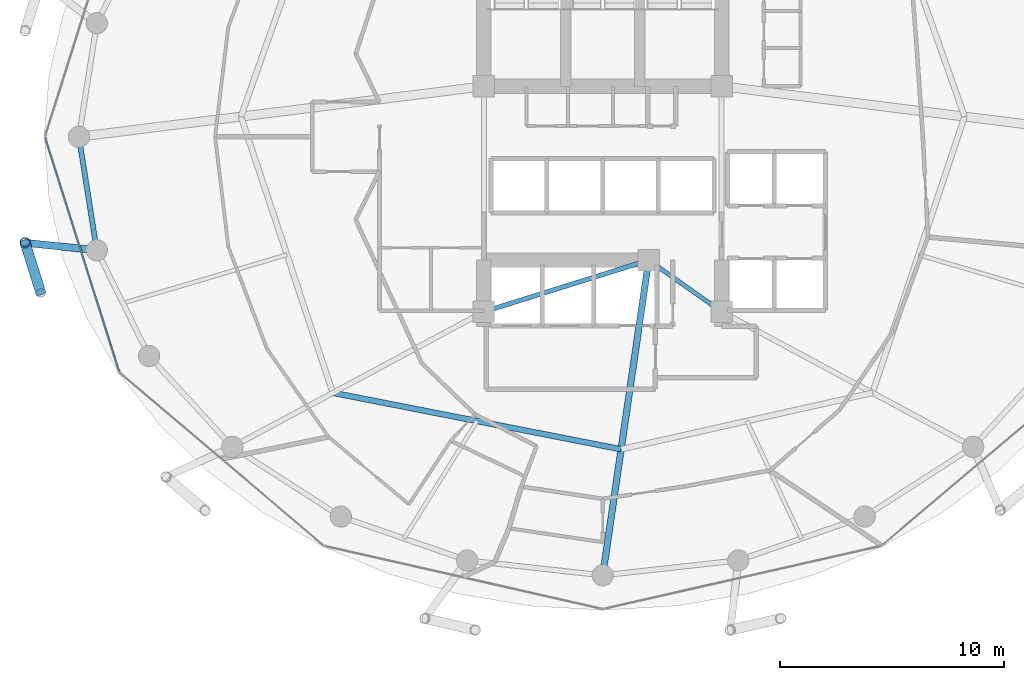
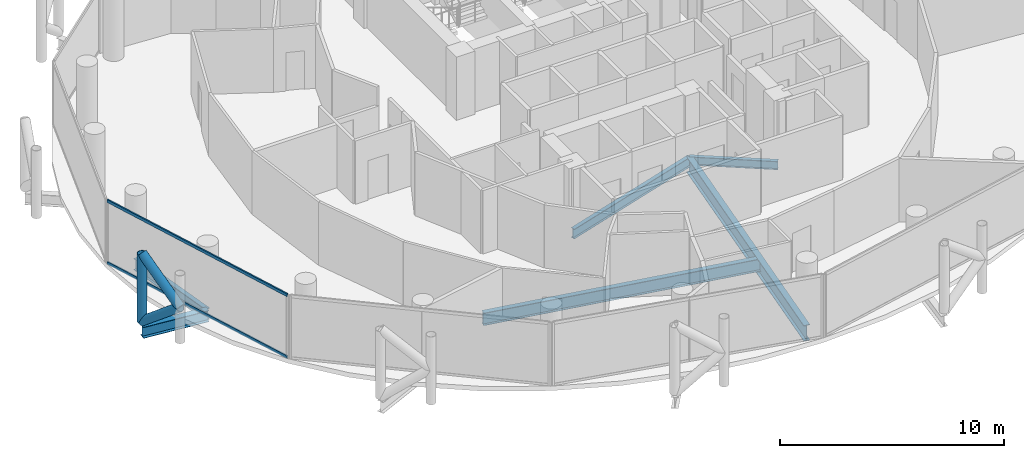
# One storey, part 5 of 26: 6 beams, 5 members, 1 element without a shape of its own.
"""IFC4 building model written with IfcOpenShell, lengths in metres."""

from ifc_helpers import new_model, si_unit, direction, frame, origin, origin_2d, place, context, subcontext, project, spatial, hollow_rectangle, hollow_circle, i_section, extrude, material, layer, layer_set, material_profile, profile_set, type_object, element, aggregate, save


model = new_model("IFC4")

# Units and contexts
model_context = context("Model", 3, precision=1e-05, world=origin(), true_north=direction((0.0, 1.0)))
body_context = subcontext(model_context, "Body", "Model", "MODEL_VIEW")
ifc_project = project(units=[si_unit("LENGTHUNIT", "METRE"), si_unit("AREAUNIT", "SQUARE_METRE"), si_unit("VOLUMEUNIT", "CUBIC_METRE"), si_unit("PLANEANGLEUNIT", "RADIAN"), si_unit("MASSUNIT", "GRAM", prefix="KILO")], contexts=[model_context])

# Site, building, storey
site_placement = place(None, origin())
site = spatial("IfcSite", under=ifc_project, at=site_placement, CompositionType="ELEMENT")
building_placement = place(site_placement, origin())
building = spatial("IfcBuilding", under=site, at=building_placement, Name="Nuhasar Tower", CompositionType="ELEMENT")
storey_placement = place(building_placement, frame((0.0, 0.0, 162.64990234375)))
storey = spatial("IfcBuildingStorey", under=building, at=storey_placement, Name="L39", CompositionType="ELEMENT", Elevation=162.64990234375)

# Beams
ifc_material_1 = material(Name="Steel S355", Category="steel")
ifc_material_profile_1 = material_profile(ifc_material_1, i_section(OverallWidth=0.25390625, OverallDepth=0.68408203125, WebThickness=0.012451171875, FlangeThickness=0.018798828125, at=origin_2d()), Name="W27X94")
ifc_profile_set_1 = profile_set([ifc_material_profile_1], Name="Steel S355")
beam_type_1 = type_object("IfcBeamType", Name="BM-INRING-W27X94", PredefinedType="BEAM", material=ifc_profile_set_1)
beam_1_placement = place(storey_placement, frame((26.972900390625, 15.385986328125, -0.591796875), z_axis=(0.981359637088, -0.192180286956, 0.0), x_axis=(0.192180286956, 0.981359637088, 0.0)))
element("IfcBeam", 1, at=beam_1_placement, inside=storey, type_object=beam_type_1, Name="L39 Inner Header Beam 01", PredefinedType="BEAM", context=body_context, shape_type="SweptSolid", body=[
    extrude(i_section(OverallWidth=0.25390625, OverallDepth=0.68408203125, WebThickness=0.012451171875, FlangeThickness=0.018798828125, at=origin_2d()), origin(), (0.0, 0.0, 1.0), 13.09130859375),
])
ifc_material_profile_2 = material_profile(ifc_material_1, i_section(OverallWidth=0.2919921875, OverallDepth=0.85888671875, WebThickness=0.01708984375, FlangeThickness=0.031005859375, at=origin_2d()), Name="W33X169")
ifc_profile_set_2 = profile_set([ifc_material_profile_2], Name="Steel S355")
beam_type_2 = type_object("IfcBeamType", Name="BM-POD-W33X169", PredefinedType="BEAM", material=ifc_profile_set_2)
beam_2_placement = place(storey_placement, frame((41.050048828125, 21.300048828125, -0.678955078125), z_axis=(-0.144381604017, -0.989522082837, 0.0), x_axis=(0.989522082837, -0.144381604017, 0.0)))
element("IfcBeam", 2, at=beam_2_placement, inside=storey, type_object=beam_type_2, Name="L39 Radial Floor Girder 02", PredefinedType="BEAM", context=body_context, shape_type="SweptSolid", body=[
    extrude(i_section(OverallWidth=0.2919921875, OverallDepth=0.85888671875, WebThickness=0.01708984375, FlangeThickness=0.031005859375, at=origin_2d()), origin(), (0.0, 0.0, 1.0), 14.19873046875),
])
ifc_material_profile_3 = material_profile(ifc_material_1, i_section(OverallWidth=0.18994140625, OverallDepth=0.45703125, WebThickness=0.009033203125, FlangeThickness=0.014404296875, at=origin_2d()), Name="W18X50")
ifc_profile_set_3 = profile_set([ifc_material_profile_3], Name="Steel S355")
beam_type_3 = type_object("IfcBeamType", Name="BM-RAD-W18X50", PredefinedType="BEAM", material=ifc_profile_set_3)
beam_3_placement = place(storey_placement, frame((41.050048828125, 21.300048828125, -0.477783203125), z_axis=(0.816265428953, -0.577677028708, 0.0), x_axis=(0.577677028708, 0.816265428953, 0.0)))
element("IfcBeam", 3, at=beam_3_placement, inside=storey, type_object=beam_type_3, Name="L39 Core Ring Girder 2", PredefinedType="BEAM", context=body_context, shape_type="SweptSolid", body=[
    extrude(i_section(OverallWidth=0.18994140625, OverallDepth=0.45703125, WebThickness=0.009033203125, FlangeThickness=0.014404296875, at=origin_2d()), origin(), (0.0, 0.0, 1.0), 3.9814453125),
])
ifc_material_profile_4 = material_profile(ifc_material_1, i_section(OverallWidth=0.208984375, OverallDepth=0.532958984375, WebThickness=0.01025390625, FlangeThickness=0.015625, at=origin_2d()), Name="W21X62")
ifc_profile_set_4 = profile_set([ifc_material_profile_4], Name="Steel S355")
beam_type_4 = type_object("IfcBeamType", Name="BM-RAD-W21X62", PredefinedType="BEAM", material=ifc_profile_set_4)
beam_4_placement = place(storey_placement, frame((33.699951171875, 19.0, -0.516845703125), z_axis=(0.954363709454, 0.298646798205, 0.0), x_axis=(-0.298646798205, 0.954363709454, 0.0)))
element("IfcBeam", 4, at=beam_4_placement, inside=storey, type_object=beam_type_4, Name="L39 Core Ring Girder 1", PredefinedType="BEAM", context=body_context, shape_type="SweptSolid", body=[
    extrude(i_section(OverallWidth=0.208984375, OverallDepth=0.532958984375, WebThickness=0.01025390625, FlangeThickness=0.015625, at=origin_2d()), origin(), (0.0, 0.0, 1.0), 7.70166015625),
])
ifc_material_profile_5 = material_profile(ifc_material_1, i_section(OverallWidth=0.22998046875, OverallDepth=0.616943359375, WebThickness=0.01318359375, FlangeThickness=0.022216796875, at=origin_2d()), Name="W24X94")
ifc_profile_set_5 = profile_set([ifc_material_profile_5], Name="Steel S355")
beam_type_5 = type_object("IfcBeamType", Name="BM-RING-W24X94", PredefinedType="SPANDREL", material=ifc_profile_set_5)
beam_5_placement = place(storey_placement, frame((15.64990234375, 26.800048828125, -0.558837890625), z_axis=(0.155426543608, -0.987847452566, 0.0), x_axis=(0.987847452566, 0.155426543608, 0.0)))
element("IfcBeam", 5, at=beam_5_placement, inside=storey, type_object=beam_type_5, Name="L39 Perimeter Ring Spandrel 13", PredefinedType="SPANDREL", context=body_context, shape_type="SweptSolid", body=[
    extrude(i_section(OverallWidth=0.22998046875, OverallDepth=0.616943359375, WebThickness=0.01318359375, FlangeThickness=0.022216796875, at=origin_2d()), origin(), (0.0, 0.0, 1.0), 5.122314453125),
])
ifc_material_profile_6 = material_profile(ifc_material_1, i_section(OverallWidth=0.323974609375, OverallDepth=0.611083984375, WebThickness=0.0126953125, FlangeThickness=0.01904296875, at=origin_2d()), Name="W24X104")
ifc_profile_set_6 = profile_set([ifc_material_profile_6], Name="Steel S355")
beam_type_6 = type_object("IfcBeamType", Name="BM-TIE-W24X104", PredefinedType="BEAM", material=ifc_profile_set_6)
beam_6_placement = place(storey_placement, frame((16.446044921875, 21.739990234375, -0.554931640625), z_axis=(-0.994577694483, 0.103996200111, 0.0), x_axis=(-0.103996200111, -0.994577694483, 0.0)))
element("IfcBeam", 6, at=beam_6_placement, inside=storey, type_object=beam_type_6, Name="L39 Exoskeleton Node Tie Beam 07", PredefinedType="BEAM", context=body_context, shape_type="SweptSolid", body=[
    extrude(i_section(OverallWidth=0.323974609375, OverallDepth=0.611083984375, WebThickness=0.0126953125, FlangeThickness=0.01904296875, at=origin_2d()), origin(), (0.0, 0.0, 1.0), 3.21142578125),
])

# Curtain wall, members
ifc_material_2 = material(Name="Aluminium 6063-T6", Category="aluminium")
ifc_layer = layer(ifc_material_2, 0.199951171875)
ifc_layer_set = layer_set([ifc_layer], Name="Aluminium 6063-T6")
curtain_wall_type = type_object("IfcCurtainWallType", Name="CW-Z2-HTL", PredefinedType="NOTDEFINED", material=ifc_layer_set)
curtain_wall_placement = place(storey_placement, origin())
curtain_wall = element("IfcCurtainWall", 7, at=curtain_wall_placement, inside=storey, type_object=curtain_wall_type, Name="L39 Unitised Curtain Wall 07", PredefinedType="NOTDEFINED")
ifc_material_profile_7 = material_profile(ifc_material_2, hollow_rectangle(XDim=0.070068359375, YDim=0.159912109375, WallThickness=0.00439453125, at=origin_2d()), Name="CWT-3")
ifc_profile_set_7 = profile_set([ifc_material_profile_7], Name="Aluminium 6063-T6")
member_type_1 = type_object("IfcMemberType", Name="CW-TRN-S3", PredefinedType="USERDEFINED", material=ifc_profile_set_7)
member_1_placement = place(storey_placement, frame((14.1611328125, 26.733154296875, 0.03515625), z_axis=(0.301608163352, -0.953431967053, 0.0), x_axis=(0.953431967053, 0.301608163352, 0.0)))
member_1 = element("IfcMember", 8, at=member_1_placement, type_object=member_type_1, Name="CW-Z2 transom 1.1", ObjectType="TRANSOM", PredefinedType="USERDEFINED", context=body_context, shape_type="SweptSolid", body=[
    extrude(hollow_rectangle(XDim=0.070068359375, YDim=0.159912109375, WallThickness=0.00439453125, at=origin_2d()), origin(), (0.0, 0.0, 1.0), 10.904296875),
])
member_2_placement = place(storey_placement, frame((14.1611328125, 26.733154296875, 3.4150390625), z_axis=(0.301608163352, -0.953431967053, 0.0), x_axis=(0.953431967053, 0.301608163352, 0.0)))
member_2 = element("IfcMember", 9, at=member_2_placement, type_object=member_type_1, Name="CW-Z2 transom 1.2", ObjectType="TRANSOM", PredefinedType="USERDEFINED", context=body_context, shape_type="SweptSolid", body=[
    extrude(hollow_rectangle(XDim=0.070068359375, YDim=0.159912109375, WallThickness=0.00439453125, at=origin_2d()), origin(), (0.0, 0.0, 1.0), 10.904296875),
])
aggregate(curtain_wall, [member_1, member_2])

# Members
ifc_material_3 = material(Name="Steel S460", Category="steel")
ifc_material_profile_8 = material_profile(ifc_material_3, hollow_circle(Radius=0.228515625, WallThickness=0.022216796875, at=origin_2d()), Name="HSS457X22.2")
ifc_profile_set_8 = profile_set([ifc_material_profile_8], Name="Steel S460")
member_type_2 = type_object("IfcMemberType", Name="EXO-BRONZE-457", PredefinedType="BRACE", material=ifc_profile_set_8)
member_3_placement = place(storey_placement, frame((13.251953125, 22.073974609375, 0.0), z_axis=(0.0, 0.0, 1.0), x_axis=(1.0, 0.0, 0.0)))
element("IfcMember", 10, at=member_3_placement, inside=storey, type_object=member_type_2, Name="L39 Exoskeleton Chord Column EC-07A", PredefinedType="BRACE", context=body_context, shape_type="SweptSolid", body=[
    extrude(hollow_circle(Radius=0.228515625, WallThickness=0.022216796875, at=origin_2d()), origin(), (0.0, 0.0, 1.0), 3.7001953125),
])
for number, where, z_axis, x_axis, name in (
    (11, (13.251953125, 22.073974609375, 0.0), (0.233055548538, -0.743577869731, 0.626719285599), (0.954228474306, 0.29907861646, 0.0), "L39 Bronze Diagrid Brace W1-07"),
    (12, (13.93994140625, 19.87890625, 1.85009765625), (-0.233055548538, 0.743577869731, 0.626719285599), (-0.954228474306, -0.29907861646, 0.0), "L39 Bronze Diagrid Brace W2-07"),
):
    element("IfcMember", number, at=place(storey_placement, frame(where, z_axis=z_axis, x_axis=x_axis)), inside=storey, type_object=member_type_2, Name=name, PredefinedType="BRACE", context=body_context, shape_type="SweptSolid", body=[
        extrude(hollow_circle(Radius=0.228515625, WallThickness=0.022216796875, at=origin_2d()), origin(), (0.0, 0.0, 1.0), 2.9521484375),
    ])

save(model, "model.ifc")
